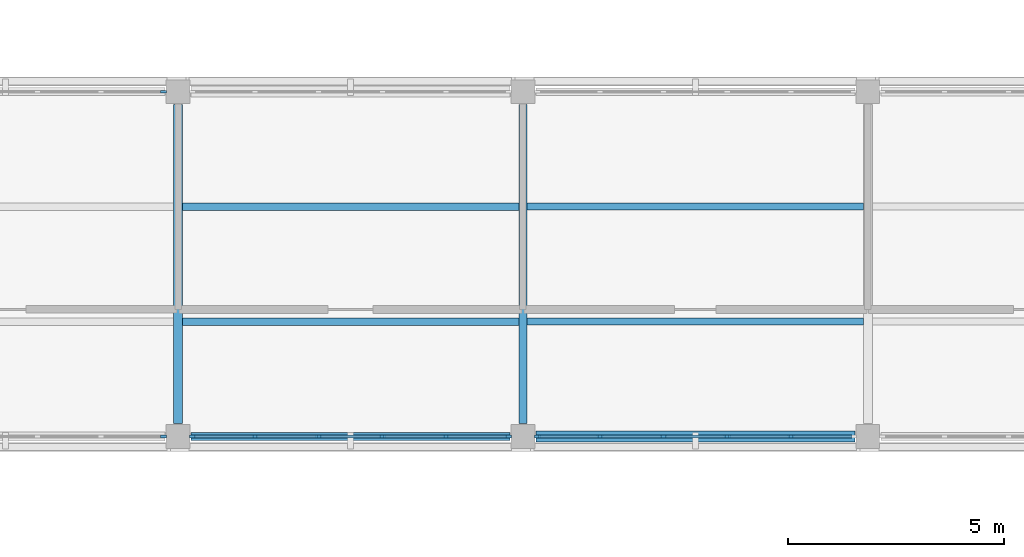
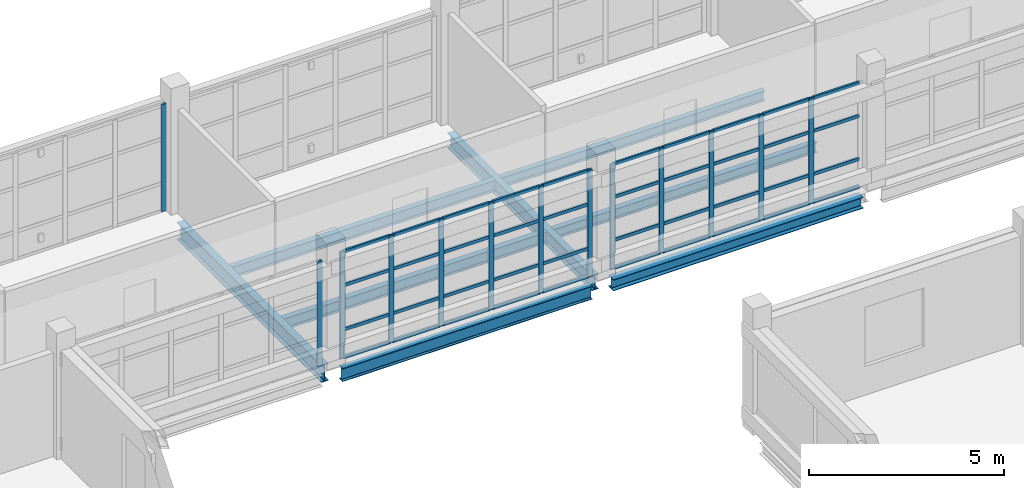
# One storey, part 43 of 107: 53 members, 8 beams, 4 elements without a shape of their own.
"""IFC4 building model written with IfcOpenShell, lengths in metres."""

from ifc_helpers import new_model, si_unit, derived_unit, direction, frame, origin, origin_2d, place, context, subcontext, project, spatial, rectangle, i_section, extrude, material, layer, layer_set, material_profile, profile_set, type_object, element, aggregate, save


model = new_model("IFC4")

# Units and contexts
model_context = context("Model", 3, precision=1e-05, world=origin(), true_north=direction((0.0, 1.0)))
body_context = subcontext(model_context, "Body", "Model", "MODEL_VIEW")
ifc_project = project(units=[si_unit("LENGTHUNIT", "METRE"), si_unit("AREAUNIT", "SQUARE_METRE"), si_unit("VOLUMEUNIT", "CUBIC_METRE"), si_unit("PLANEANGLEUNIT", "RADIAN"), si_unit("MASSUNIT", "GRAM", prefix="KILO"), derived_unit("THERMALTRANSMITTANCEUNIT", [(si_unit("MASSUNIT", "GRAM", prefix="KILO"), 1), (si_unit("TIMEUNIT", "SECOND"), -3), (si_unit("THERMODYNAMICTEMPERATUREUNIT", "KELVIN"), -1)])], contexts=[model_context])

# Site, building, storey
site_placement = place(None, origin())
site = spatial("IfcSite", under=ifc_project, at=site_placement, CompositionType="ELEMENT")
building_placement = place(site_placement, origin())
building = spatial("IfcBuilding", under=site, at=building_placement, Name="Veyamyaing Civic Hall", CompositionType="ELEMENT")
storey_placement = place(building_placement, frame((0.0, 0.0, 13.860107421875)))
storey = spatial("IfcBuildingStorey", under=building, at=storey_placement, Name="L03", CompositionType="ELEMENT", Elevation=13.860107421875)

# Beams
ifc_material_1 = material(Name="Steel ASTM A992", Category="steel")
ifc_material_profile_1 = material_profile(ifc_material_1, i_section(OverallWidth=0.2109375, OverallDepth=0.5390625, WebThickness=0.01171875, FlangeThickness=0.018798828125, FilletRadius=0.011962890625, at=origin_2d()), Name="W530X109")
ifc_profile_set_1 = profile_set([ifc_material_profile_1], Name="Steel ASTM A992")
beam_type_1 = type_object("IfcBeamType", Name="B-17", PredefinedType="BEAM", material=ifc_profile_set_1)
beam_1_placement = place(storey_placement, frame((128.0, 48.300048828125, -0.524658203125), z_axis=(0.0, 1.0, 0.0), x_axis=(-1.0, 0.0, 0.0)))
element("IfcBeam", 1, at=beam_1_placement, inside=storey, type_object=beam_type_1, Name="Girder B-17 L03 Grid 17 G-H", PredefinedType="BEAM", context=body_context, shape_type="SweptSolid", body=[
    extrude(i_section(OverallWidth=0.2109375, OverallDepth=0.5390625, WebThickness=0.01171875, FlangeThickness=0.018798828125, FilletRadius=0.011962890625, at=origin_2d()), origin(), (0.0, 0.0, 1.0), 7.39990234375),
])
ifc_material_profile_2 = material_profile(ifc_material_1, i_section(OverallWidth=0.194091796875, OverallDepth=0.468994140625, WebThickness=0.0126953125, FlangeThickness=0.0205078125, FilletRadius=0.010009765625, at=origin_2d()), Name="W460X106")
ifc_profile_set_2 = profile_set([ifc_material_profile_2], Name="Steel ASTM A992")
beam_type_2 = type_object("IfcBeamType", Name="B-18", PredefinedType="BEAM", material=ifc_profile_set_2)
beam_2_placement = place(storey_placement, frame((136.0, 48.300048828125, -0.489501953125), z_axis=(0.0, 1.0, 0.0), x_axis=(-1.0, 0.0, 0.0)))
element("IfcBeam", 2, at=beam_2_placement, inside=storey, type_object=beam_type_2, Name="Girder B-18 L03 Grid 18 G-H", PredefinedType="BEAM", context=body_context, shape_type="SweptSolid", body=[
    extrude(i_section(OverallWidth=0.194091796875, OverallDepth=0.468994140625, WebThickness=0.0126953125, FlangeThickness=0.0205078125, FilletRadius=0.010009765625, at=origin_2d()), origin(), (0.0, 0.0, 1.0), 7.39990234375),
])
ifc_material_profile_3 = material_profile(ifc_material_1, i_section(OverallWidth=0.180908203125, OverallDepth=0.4169921875, WebThickness=0.010986328125, FlangeThickness=0.018310546875, FilletRadius=0.010009765625, at=origin_2d()), Name="W410X85")
ifc_profile_set_3 = profile_set([ifc_material_profile_3], Name="Steel ASTM A992")
beam_type_3 = type_object("IfcBeamType", Name="B-19", PredefinedType="SPANDREL", material=ifc_profile_set_3)
beam_3_placement = place(storey_placement, frame((128.300048828125, 48.0, -0.463623046875), z_axis=(1.0, 0.0, 0.0), x_axis=(0.0, 1.0, 0.0)))
element("IfcBeam", 3, at=beam_3_placement, inside=storey, type_object=beam_type_3, Name="Girder B-19 L03 Grid G 17-18", PredefinedType="SPANDREL", context=body_context, shape_type="SweptSolid", body=[
    extrude(i_section(OverallWidth=0.180908203125, OverallDepth=0.4169921875, WebThickness=0.010986328125, FlangeThickness=0.018310546875, FilletRadius=0.010009765625, at=origin_2d()), origin(), (0.0, 0.0, 1.0), 7.39990234375),
])
ifc_material_profile_4 = material_profile(ifc_material_1, i_section(OverallWidth=0.25390625, OverallDepth=0.35302734375, WebThickness=0.009521484375, FlangeThickness=0.016357421875, FilletRadius=0.011962890625, at=origin_2d()), Name="W360X91")
ifc_profile_set_4 = profile_set([ifc_material_profile_4], Name="Steel ASTM A992")
beam_type_4 = type_object("IfcBeamType", Name="B-20", PredefinedType="SPANDREL", material=ifc_profile_set_4)
beam_4_placement = place(storey_placement, frame((136.300048828125, 48.0, -0.431640625), z_axis=(1.0, 0.0, 0.0), x_axis=(0.0, 1.0, 0.0)))
element("IfcBeam", 4, at=beam_4_placement, inside=storey, type_object=beam_type_4, Name="Girder B-20 L03 Grid G 18-19", PredefinedType="SPANDREL", context=body_context, shape_type="SweptSolid", body=[
    extrude(i_section(OverallWidth=0.25390625, OverallDepth=0.35302734375, WebThickness=0.009521484375, FlangeThickness=0.016357421875, FilletRadius=0.011962890625, at=origin_2d()), origin(), (0.0, 0.0, 1.0), 7.39990234375),
])

# Curtain wall, member
ifc_material_2 = material(Name="Anodised aluminium 6063-T6", Category="aluminium")
ifc_layer = layer(ifc_material_2, 0.139892578125, Name="Anodised aluminium 6063-T6")
ifc_layer_set = layer_set([ifc_layer], Name="Anodised aluminium 6063-T6")
curtain_wall_type = type_object("IfcCurtainWallType", Name="CW-04", PredefinedType="NOTDEFINED", material=ifc_layer_set)
curtain_wall_1_placement = place(storey_placement, origin())
curtain_wall_1 = element("IfcCurtainWall", 5, at=curtain_wall_1_placement, inside=storey, type_object=curtain_wall_type, Name="Unitized curtain wall CW-04 L03 S 16.7", PredefinedType="NOTDEFINED")
ifc_material_profile_5 = material_profile(ifc_material_2, rectangle(XDim=0.06005859375, YDim=0.139892578125, at=origin_2d()), Name="ALU-MUL-60X140")
ifc_profile_set_5 = profile_set([ifc_material_profile_5], Name="Anodised aluminium 6063-T6")
member_type_1 = type_object("IfcMemberType", Name="CWM-03", PredefinedType="MULLION", material=ifc_profile_set_5)
member_1_placement = place(storey_placement, frame((127.6650390625, 48.0, 0.0), z_axis=(0.0, 0.0, 1.0), x_axis=(0.0, 1.0, 0.0)))
member_1 = element("IfcMember", 6, at=member_1_placement, type_object=member_type_1, Name="CW-04 mullion 6", PredefinedType="MULLION", context=body_context, shape_type="SweptSolid", body=[
    extrude(rectangle(XDim=0.06005859375, YDim=0.139892578125, at=origin_2d()), origin(), (0.0, 0.0, 1.0), 3.2998046875),
])
aggregate(curtain_wall_1, [member_1])

curtain_wall_2_placement = place(storey_placement, origin())
curtain_wall_2 = element("IfcCurtainWall", 7, at=curtain_wall_2_placement, inside=storey, type_object=curtain_wall_type, Name="Unitized curtain wall CW-04 L03 N 16.7", PredefinedType="NOTDEFINED")
member_2_placement = place(storey_placement, frame((127.6650390625, 56.0, 0.0), z_axis=(0.0, 0.0, 1.0), x_axis=(0.0, 1.0, 0.0)))
member_2 = element("IfcMember", 8, at=member_2_placement, type_object=member_type_1, Name="CW-04 mullion 6", PredefinedType="MULLION", context=body_context, shape_type="SweptSolid", body=[
    extrude(rectangle(XDim=0.06005859375, YDim=0.139892578125, at=origin_2d()), origin(), (0.0, 0.0, 1.0), 3.364013671875),
])
aggregate(curtain_wall_2, [member_2])

# Curtain wall, members
curtain_wall_3_placement = place(storey_placement, origin())
curtain_wall_3 = element("IfcCurtainWall", 9, at=curtain_wall_3_placement, inside=storey, type_object=curtain_wall_type, Name="Unitized curtain wall CW-04 L03 S 17.7", PredefinedType="NOTDEFINED")
member_3_placement = place(storey_placement, frame((128.3349609375, 48.0, 0.0), z_axis=(0.0, 0.0, 1.0), x_axis=(0.0, 1.0, 0.0)))
member_3 = element("IfcMember", 10, at=member_3_placement, type_object=member_type_1, Name="CW-04 mullion 1", PredefinedType="MULLION", context=body_context, shape_type="SweptSolid", body=[
    extrude(rectangle(XDim=0.06005859375, YDim=0.139892578125, at=origin_2d()), origin(), (0.0, 0.0, 1.0), 3.364013671875),
])
member_4_placement = place(storey_placement, frame((129.782958984375, 48.0, 0.0), z_axis=(0.0, 0.0, 1.0), x_axis=(0.0, 1.0, 0.0)))
member_4 = element("IfcMember", 11, at=member_4_placement, type_object=member_type_1, Name="CW-04 mullion 2", PredefinedType="MULLION", context=body_context, shape_type="SweptSolid", body=[
    extrude(rectangle(XDim=0.06005859375, YDim=0.139892578125, at=origin_2d()), origin(), (0.0, 0.0, 1.0), 3.364013671875),
])
member_5_placement = place(storey_placement, frame((131.260986328125, 48.0, 0.0), z_axis=(0.0, 0.0, 1.0), x_axis=(0.0, 1.0, 0.0)))
member_5 = element("IfcMember", 12, at=member_5_placement, type_object=member_type_1, Name="CW-04 mullion 3", PredefinedType="MULLION", context=body_context, shape_type="SweptSolid", body=[
    extrude(rectangle(XDim=0.06005859375, YDim=0.139892578125, at=origin_2d()), origin(), (0.0, 0.0, 1.0), 3.364013671875),
])
member_6_placement = place(storey_placement, frame((132.739013671875, 48.0, 0.0), z_axis=(0.0, 0.0, 1.0), x_axis=(0.0, 1.0, 0.0)))
member_6 = element("IfcMember", 13, at=member_6_placement, type_object=member_type_1, Name="CW-04 mullion 4", PredefinedType="MULLION", context=body_context, shape_type="SweptSolid", body=[
    extrude(rectangle(XDim=0.06005859375, YDim=0.139892578125, at=origin_2d()), origin(), (0.0, 0.0, 1.0), 3.364013671875),
])
member_7_placement = place(storey_placement, frame((134.217041015625, 48.0, 0.0), z_axis=(0.0, 0.0, 1.0), x_axis=(0.0, 1.0, 0.0)))
member_7 = element("IfcMember", 14, at=member_7_placement, type_object=member_type_1, Name="CW-04 mullion 5", PredefinedType="MULLION", context=body_context, shape_type="SweptSolid", body=[
    extrude(rectangle(XDim=0.06005859375, YDim=0.139892578125, at=origin_2d()), origin(), (0.0, 0.0, 1.0), 3.364013671875),
])
member_8_placement = place(storey_placement, frame((135.6650390625, 48.0, 0.0), z_axis=(0.0, 0.0, 1.0), x_axis=(0.0, 1.0, 0.0)))
member_8 = element("IfcMember", 15, at=member_8_placement, type_object=member_type_1, Name="CW-04 mullion 6", PredefinedType="MULLION", context=body_context, shape_type="SweptSolid", body=[
    extrude(rectangle(XDim=0.06005859375, YDim=0.139892578125, at=origin_2d()), origin(), (0.0, 0.0, 1.0), 3.364013671875),
])

curtain_wall_4_placement = place(storey_placement, origin())
curtain_wall_4 = element("IfcCurtainWall", 16, at=curtain_wall_4_placement, inside=storey, type_object=curtain_wall_type, Name="Unitized curtain wall CW-04 L03 S 18.7", PredefinedType="NOTDEFINED")
member_9_placement = place(storey_placement, frame((136.3349609375, 48.0, 0.0), z_axis=(0.0, 0.0, 1.0), x_axis=(0.0, 1.0, 0.0)))
member_9 = element("IfcMember", 17, at=member_9_placement, type_object=member_type_1, Name="CW-04 mullion 1", PredefinedType="MULLION", context=body_context, shape_type="SweptSolid", body=[
    extrude(rectangle(XDim=0.06005859375, YDim=0.139892578125, at=origin_2d()), origin(), (0.0, 0.0, 1.0), 3.303955078125),
])
member_10_placement = place(storey_placement, frame((137.782958984375, 48.0, 0.0), z_axis=(0.0, 0.0, 1.0), x_axis=(0.0, 1.0, 0.0)))
member_10 = element("IfcMember", 18, at=member_10_placement, type_object=member_type_1, Name="CW-04 mullion 2", PredefinedType="MULLION", context=body_context, shape_type="SweptSolid", body=[
    extrude(rectangle(XDim=0.06005859375, YDim=0.139892578125, at=origin_2d()), origin(), (0.0, 0.0, 1.0), 3.303955078125),
])
member_11_placement = place(storey_placement, frame((139.260986328125, 48.0, 0.0), z_axis=(0.0, 0.0, 1.0), x_axis=(0.0, 1.0, 0.0)))
member_11 = element("IfcMember", 19, at=member_11_placement, type_object=member_type_1, Name="CW-04 mullion 3", PredefinedType="MULLION", context=body_context, shape_type="SweptSolid", body=[
    extrude(rectangle(XDim=0.06005859375, YDim=0.139892578125, at=origin_2d()), origin(), (0.0, 0.0, 1.0), 3.303955078125),
])
member_12_placement = place(storey_placement, frame((140.739013671875, 48.0, 0.0), z_axis=(0.0, 0.0, 1.0), x_axis=(0.0, 1.0, 0.0)))
member_12 = element("IfcMember", 20, at=member_12_placement, type_object=member_type_1, Name="CW-04 mullion 4", PredefinedType="MULLION", context=body_context, shape_type="SweptSolid", body=[
    extrude(rectangle(XDim=0.06005859375, YDim=0.139892578125, at=origin_2d()), origin(), (0.0, 0.0, 1.0), 3.303955078125),
])
member_13_placement = place(storey_placement, frame((142.217041015625, 48.0, 0.0), z_axis=(0.0, 0.0, 1.0), x_axis=(0.0, 1.0, 0.0)))
member_13 = element("IfcMember", 21, at=member_13_placement, type_object=member_type_1, Name="CW-04 mullion 5", PredefinedType="MULLION", context=body_context, shape_type="SweptSolid", body=[
    extrude(rectangle(XDim=0.06005859375, YDim=0.139892578125, at=origin_2d()), origin(), (0.0, 0.0, 1.0), 3.303955078125),
])

# Member
ifc_material_profile_6 = material_profile(ifc_material_2, rectangle(XDim=0.06005859375, YDim=0.10009765625, at=origin_2d()), Name="ALU-TRN-60X100")
ifc_profile_set_6 = profile_set([ifc_material_profile_6], Name="Anodised aluminium 6063-T6")
member_type_2 = type_object("IfcMemberType", Name="CWT-03", PredefinedType="USERDEFINED", material=ifc_profile_set_6)
member_14_placement = place(storey_placement, frame((128.364990234375, 48.0, 0.02978515625), z_axis=(1.0, 0.0, 0.0), x_axis=(0.0, 1.0, 0.0)))
member_14 = element("IfcMember", 22, at=member_14_placement, type_object=member_type_2, Name="CW-04 transom 1.1", ObjectType="TRANSOM", PredefinedType="USERDEFINED", context=body_context, shape_type="SweptSolid", body=[
    extrude(rectangle(XDim=0.06005859375, YDim=0.10009765625, at=origin_2d()), origin(), (0.0, 0.0, 1.0), 1.387939453125),
])

member_15_placement = place(storey_placement, frame((128.364990234375, 48.0, 0.89990234375), z_axis=(1.0, 0.0, 0.0), x_axis=(0.0, 1.0, 0.0)))
member_15 = element("IfcMember", 23, at=member_15_placement, type_object=member_type_2, Name="CW-04 transom 1.2", ObjectType="TRANSOM", PredefinedType="USERDEFINED", context=body_context, shape_type="SweptSolid", body=[
    extrude(rectangle(XDim=0.06005859375, YDim=0.10009765625, at=origin_2d()), origin(), (0.0, 0.0, 1.0), 1.387939453125),
])

member_16_placement = place(storey_placement, frame((128.364990234375, 48.0, 2.287353515625), z_axis=(1.0, 0.0, 0.0), x_axis=(0.0, 1.0, 0.0)))
member_16 = element("IfcMember", 24, at=member_16_placement, type_object=member_type_2, Name="CW-04 transom 1.3", ObjectType="TRANSOM", PredefinedType="USERDEFINED", context=body_context, shape_type="SweptSolid", body=[
    extrude(rectangle(XDim=0.06005859375, YDim=0.10009765625, at=origin_2d()), origin(), (0.0, 0.0, 1.0), 1.387939453125),
])

member_17_placement = place(storey_placement, frame((128.364990234375, 48.0, 3.333984375), z_axis=(1.0, 0.0, 0.0), x_axis=(0.0, 1.0, 0.0)))
member_17 = element("IfcMember", 25, at=member_17_placement, type_object=member_type_2, Name="CW-04 transom 1.4", ObjectType="TRANSOM", PredefinedType="USERDEFINED", context=body_context, shape_type="SweptSolid", body=[
    extrude(rectangle(XDim=0.06005859375, YDim=0.10009765625, at=origin_2d()), origin(), (0.0, 0.0, 1.0), 1.387939453125),
])

member_18_placement = place(storey_placement, frame((129.81298828125, 48.0, 0.02978515625), z_axis=(1.0, 0.0, 0.0), x_axis=(0.0, 1.0, 0.0)))
member_18 = element("IfcMember", 26, at=member_18_placement, type_object=member_type_2, Name="CW-04 transom 2.1", ObjectType="TRANSOM", PredefinedType="USERDEFINED", context=body_context, shape_type="SweptSolid", body=[
    extrude(rectangle(XDim=0.06005859375, YDim=0.10009765625, at=origin_2d()), origin(), (0.0, 0.0, 1.0), 1.41796875),
])

member_19_placement = place(storey_placement, frame((129.81298828125, 48.0, 0.89990234375), z_axis=(1.0, 0.0, 0.0), x_axis=(0.0, 1.0, 0.0)))
member_19 = element("IfcMember", 27, at=member_19_placement, type_object=member_type_2, Name="CW-04 transom 2.2", ObjectType="TRANSOM", PredefinedType="USERDEFINED", context=body_context, shape_type="SweptSolid", body=[
    extrude(rectangle(XDim=0.06005859375, YDim=0.10009765625, at=origin_2d()), origin(), (0.0, 0.0, 1.0), 1.41796875),
])

member_20_placement = place(storey_placement, frame((129.81298828125, 48.0, 2.287353515625), z_axis=(1.0, 0.0, 0.0), x_axis=(0.0, 1.0, 0.0)))
member_20 = element("IfcMember", 28, at=member_20_placement, type_object=member_type_2, Name="CW-04 transom 2.3", ObjectType="TRANSOM", PredefinedType="USERDEFINED", context=body_context, shape_type="SweptSolid", body=[
    extrude(rectangle(XDim=0.06005859375, YDim=0.10009765625, at=origin_2d()), origin(), (0.0, 0.0, 1.0), 1.41796875),
])

member_21_placement = place(storey_placement, frame((129.81298828125, 48.0, 3.333984375), z_axis=(1.0, 0.0, 0.0), x_axis=(0.0, 1.0, 0.0)))
member_21 = element("IfcMember", 29, at=member_21_placement, type_object=member_type_2, Name="CW-04 transom 2.4", ObjectType="TRANSOM", PredefinedType="USERDEFINED", context=body_context, shape_type="SweptSolid", body=[
    extrude(rectangle(XDim=0.06005859375, YDim=0.10009765625, at=origin_2d()), origin(), (0.0, 0.0, 1.0), 1.41796875),
])

member_22_placement = place(storey_placement, frame((131.291015625, 48.0, 0.02978515625), z_axis=(1.0, 0.0, 0.0), x_axis=(0.0, 1.0, 0.0)))
member_22 = element("IfcMember", 30, at=member_22_placement, type_object=member_type_2, Name="CW-04 transom 3.1", ObjectType="TRANSOM", PredefinedType="USERDEFINED", context=body_context, shape_type="SweptSolid", body=[
    extrude(rectangle(XDim=0.06005859375, YDim=0.10009765625, at=origin_2d()), origin(), (0.0, 0.0, 1.0), 1.41796875),
])

member_23_placement = place(storey_placement, frame((131.291015625, 48.0, 0.89990234375), z_axis=(1.0, 0.0, 0.0), x_axis=(0.0, 1.0, 0.0)))
member_23 = element("IfcMember", 31, at=member_23_placement, type_object=member_type_2, Name="CW-04 transom 3.2", ObjectType="TRANSOM", PredefinedType="USERDEFINED", context=body_context, shape_type="SweptSolid", body=[
    extrude(rectangle(XDim=0.06005859375, YDim=0.10009765625, at=origin_2d()), origin(), (0.0, 0.0, 1.0), 1.41796875),
])

member_24_placement = place(storey_placement, frame((131.291015625, 48.0, 2.287353515625), z_axis=(1.0, 0.0, 0.0), x_axis=(0.0, 1.0, 0.0)))
member_24 = element("IfcMember", 32, at=member_24_placement, type_object=member_type_2, Name="CW-04 transom 3.3", ObjectType="TRANSOM", PredefinedType="USERDEFINED", context=body_context, shape_type="SweptSolid", body=[
    extrude(rectangle(XDim=0.06005859375, YDim=0.10009765625, at=origin_2d()), origin(), (0.0, 0.0, 1.0), 1.41796875),
])

member_25_placement = place(storey_placement, frame((131.291015625, 48.0, 3.333984375), z_axis=(1.0, 0.0, 0.0), x_axis=(0.0, 1.0, 0.0)))
member_25 = element("IfcMember", 33, at=member_25_placement, type_object=member_type_2, Name="CW-04 transom 3.4", ObjectType="TRANSOM", PredefinedType="USERDEFINED", context=body_context, shape_type="SweptSolid", body=[
    extrude(rectangle(XDim=0.06005859375, YDim=0.10009765625, at=origin_2d()), origin(), (0.0, 0.0, 1.0), 1.41796875),
])

member_26_placement = place(storey_placement, frame((132.76904296875, 48.0, 0.02978515625), z_axis=(1.0, 0.0, 0.0), x_axis=(0.0, 1.0, 0.0)))
member_26 = element("IfcMember", 34, at=member_26_placement, type_object=member_type_2, Name="CW-04 transom 4.1", ObjectType="TRANSOM", PredefinedType="USERDEFINED", context=body_context, shape_type="SweptSolid", body=[
    extrude(rectangle(XDim=0.06005859375, YDim=0.10009765625, at=origin_2d()), origin(), (0.0, 0.0, 1.0), 1.41796875),
])

member_27_placement = place(storey_placement, frame((132.76904296875, 48.0, 0.89990234375), z_axis=(1.0, 0.0, 0.0), x_axis=(0.0, 1.0, 0.0)))
member_27 = element("IfcMember", 35, at=member_27_placement, type_object=member_type_2, Name="CW-04 transom 4.2", ObjectType="TRANSOM", PredefinedType="USERDEFINED", context=body_context, shape_type="SweptSolid", body=[
    extrude(rectangle(XDim=0.06005859375, YDim=0.10009765625, at=origin_2d()), origin(), (0.0, 0.0, 1.0), 1.41796875),
])

member_28_placement = place(storey_placement, frame((132.76904296875, 48.0, 2.287353515625), z_axis=(1.0, 0.0, 0.0), x_axis=(0.0, 1.0, 0.0)))
member_28 = element("IfcMember", 36, at=member_28_placement, type_object=member_type_2, Name="CW-04 transom 4.3", ObjectType="TRANSOM", PredefinedType="USERDEFINED", context=body_context, shape_type="SweptSolid", body=[
    extrude(rectangle(XDim=0.06005859375, YDim=0.10009765625, at=origin_2d()), origin(), (0.0, 0.0, 1.0), 1.41796875),
])

member_29_placement = place(storey_placement, frame((132.76904296875, 48.0, 3.333984375), z_axis=(1.0, 0.0, 0.0), x_axis=(0.0, 1.0, 0.0)))
member_29 = element("IfcMember", 37, at=member_29_placement, type_object=member_type_2, Name="CW-04 transom 4.4", ObjectType="TRANSOM", PredefinedType="USERDEFINED", context=body_context, shape_type="SweptSolid", body=[
    extrude(rectangle(XDim=0.06005859375, YDim=0.10009765625, at=origin_2d()), origin(), (0.0, 0.0, 1.0), 1.41796875),
])

member_30_placement = place(storey_placement, frame((134.2470703125, 48.0, 0.02978515625), z_axis=(1.0, 0.0, 0.0), x_axis=(0.0, 1.0, 0.0)))
member_30 = element("IfcMember", 38, at=member_30_placement, type_object=member_type_2, Name="CW-04 transom 5.1", ObjectType="TRANSOM", PredefinedType="USERDEFINED", context=body_context, shape_type="SweptSolid", body=[
    extrude(rectangle(XDim=0.06005859375, YDim=0.10009765625, at=origin_2d()), origin(), (0.0, 0.0, 1.0), 1.387939453125),
])

member_31_placement = place(storey_placement, frame((134.2470703125, 48.0, 0.89990234375), z_axis=(1.0, 0.0, 0.0), x_axis=(0.0, 1.0, 0.0)))
member_31 = element("IfcMember", 39, at=member_31_placement, type_object=member_type_2, Name="CW-04 transom 5.2", ObjectType="TRANSOM", PredefinedType="USERDEFINED", context=body_context, shape_type="SweptSolid", body=[
    extrude(rectangle(XDim=0.06005859375, YDim=0.10009765625, at=origin_2d()), origin(), (0.0, 0.0, 1.0), 1.387939453125),
])

member_32_placement = place(storey_placement, frame((134.2470703125, 48.0, 2.287353515625), z_axis=(1.0, 0.0, 0.0), x_axis=(0.0, 1.0, 0.0)))
member_32 = element("IfcMember", 40, at=member_32_placement, type_object=member_type_2, Name="CW-04 transom 5.3", ObjectType="TRANSOM", PredefinedType="USERDEFINED", context=body_context, shape_type="SweptSolid", body=[
    extrude(rectangle(XDim=0.06005859375, YDim=0.10009765625, at=origin_2d()), origin(), (0.0, 0.0, 1.0), 1.387939453125),
])

member_33_placement = place(storey_placement, frame((134.2470703125, 48.0, 3.333984375), z_axis=(1.0, 0.0, 0.0), x_axis=(0.0, 1.0, 0.0)))
member_33 = element("IfcMember", 41, at=member_33_placement, type_object=member_type_2, Name="CW-04 transom 5.4", ObjectType="TRANSOM", PredefinedType="USERDEFINED", context=body_context, shape_type="SweptSolid", body=[
    extrude(rectangle(XDim=0.06005859375, YDim=0.10009765625, at=origin_2d()), origin(), (0.0, 0.0, 1.0), 1.387939453125),
])

aggregate(curtain_wall_3, [member_3, member_4, member_5, member_6, member_7, member_8, member_14, member_15, member_16, member_17, member_18, member_19, member_20, member_21, member_22, member_23, member_24, member_25, member_26, member_27, member_28, member_29, member_30, member_31, member_32, member_33])

member_34_placement = place(storey_placement, frame((136.364990234375, 48.0, 0.02978515625), z_axis=(1.0, 0.0, 0.0), x_axis=(0.0, 1.0, 0.0)))
member_34 = element("IfcMember", 42, at=member_34_placement, type_object=member_type_2, Name="CW-04 transom 1.1", ObjectType="TRANSOM", PredefinedType="USERDEFINED", context=body_context, shape_type="SweptSolid", body=[
    extrude(rectangle(XDim=0.06005859375, YDim=0.10009765625, at=origin_2d()), origin(), (0.0, 0.0, 1.0), 1.387939453125),
])

member_35_placement = place(storey_placement, frame((136.364990234375, 48.0, 0.89990234375), z_axis=(1.0, 0.0, 0.0), x_axis=(0.0, 1.0, 0.0)))
member_35 = element("IfcMember", 43, at=member_35_placement, type_object=member_type_2, Name="CW-04 transom 1.2", ObjectType="TRANSOM", PredefinedType="USERDEFINED", context=body_context, shape_type="SweptSolid", body=[
    extrude(rectangle(XDim=0.06005859375, YDim=0.10009765625, at=origin_2d()), origin(), (0.0, 0.0, 1.0), 1.387939453125),
])

member_36_placement = place(storey_placement, frame((136.364990234375, 48.0, 2.24658203125), z_axis=(1.0, 0.0, 0.0), x_axis=(0.0, 1.0, 0.0)))
member_36 = element("IfcMember", 44, at=member_36_placement, type_object=member_type_2, Name="CW-04 transom 1.3", ObjectType="TRANSOM", PredefinedType="USERDEFINED", context=body_context, shape_type="SweptSolid", body=[
    extrude(rectangle(XDim=0.06005859375, YDim=0.10009765625, at=origin_2d()), origin(), (0.0, 0.0, 1.0), 1.387939453125),
])

member_37_placement = place(storey_placement, frame((136.364990234375, 48.0, 3.27392578125), z_axis=(1.0, 0.0, 0.0), x_axis=(0.0, 1.0, 0.0)))
member_37 = element("IfcMember", 45, at=member_37_placement, type_object=member_type_2, Name="CW-04 transom 1.4", ObjectType="TRANSOM", PredefinedType="USERDEFINED", context=body_context, shape_type="SweptSolid", body=[
    extrude(rectangle(XDim=0.06005859375, YDim=0.10009765625, at=origin_2d()), origin(), (0.0, 0.0, 1.0), 1.387939453125),
])

member_38_placement = place(storey_placement, frame((137.81298828125, 48.0, 0.02978515625), z_axis=(1.0, 0.0, 0.0), x_axis=(0.0, 1.0, 0.0)))
member_38 = element("IfcMember", 46, at=member_38_placement, type_object=member_type_2, Name="CW-04 transom 2.1", ObjectType="TRANSOM", PredefinedType="USERDEFINED", context=body_context, shape_type="SweptSolid", body=[
    extrude(rectangle(XDim=0.06005859375, YDim=0.10009765625, at=origin_2d()), origin(), (0.0, 0.0, 1.0), 1.41796875),
])

member_39_placement = place(storey_placement, frame((137.81298828125, 48.0, 0.89990234375), z_axis=(1.0, 0.0, 0.0), x_axis=(0.0, 1.0, 0.0)))
member_39 = element("IfcMember", 47, at=member_39_placement, type_object=member_type_2, Name="CW-04 transom 2.2", ObjectType="TRANSOM", PredefinedType="USERDEFINED", context=body_context, shape_type="SweptSolid", body=[
    extrude(rectangle(XDim=0.06005859375, YDim=0.10009765625, at=origin_2d()), origin(), (0.0, 0.0, 1.0), 1.41796875),
])

member_40_placement = place(storey_placement, frame((137.81298828125, 48.0, 2.24658203125), z_axis=(1.0, 0.0, 0.0), x_axis=(0.0, 1.0, 0.0)))
member_40 = element("IfcMember", 48, at=member_40_placement, type_object=member_type_2, Name="CW-04 transom 2.3", ObjectType="TRANSOM", PredefinedType="USERDEFINED", context=body_context, shape_type="SweptSolid", body=[
    extrude(rectangle(XDim=0.06005859375, YDim=0.10009765625, at=origin_2d()), origin(), (0.0, 0.0, 1.0), 1.41796875),
])

member_41_placement = place(storey_placement, frame((137.81298828125, 48.0, 3.27392578125), z_axis=(1.0, 0.0, 0.0), x_axis=(0.0, 1.0, 0.0)))
member_41 = element("IfcMember", 49, at=member_41_placement, type_object=member_type_2, Name="CW-04 transom 2.4", ObjectType="TRANSOM", PredefinedType="USERDEFINED", context=body_context, shape_type="SweptSolid", body=[
    extrude(rectangle(XDim=0.06005859375, YDim=0.10009765625, at=origin_2d()), origin(), (0.0, 0.0, 1.0), 1.41796875),
])

member_42_placement = place(storey_placement, frame((139.291015625, 48.0, 0.02978515625), z_axis=(1.0, 0.0, 0.0), x_axis=(0.0, 1.0, 0.0)))
member_42 = element("IfcMember", 50, at=member_42_placement, type_object=member_type_2, Name="CW-04 transom 3.1", ObjectType="TRANSOM", PredefinedType="USERDEFINED", context=body_context, shape_type="SweptSolid", body=[
    extrude(rectangle(XDim=0.06005859375, YDim=0.10009765625, at=origin_2d()), origin(), (0.0, 0.0, 1.0), 1.41796875),
])

member_43_placement = place(storey_placement, frame((139.291015625, 48.0, 0.89990234375), z_axis=(1.0, 0.0, 0.0), x_axis=(0.0, 1.0, 0.0)))
member_43 = element("IfcMember", 51, at=member_43_placement, type_object=member_type_2, Name="CW-04 transom 3.2", ObjectType="TRANSOM", PredefinedType="USERDEFINED", context=body_context, shape_type="SweptSolid", body=[
    extrude(rectangle(XDim=0.06005859375, YDim=0.10009765625, at=origin_2d()), origin(), (0.0, 0.0, 1.0), 1.41796875),
])

member_44_placement = place(storey_placement, frame((139.291015625, 48.0, 2.24658203125), z_axis=(1.0, 0.0, 0.0), x_axis=(0.0, 1.0, 0.0)))
member_44 = element("IfcMember", 52, at=member_44_placement, type_object=member_type_2, Name="CW-04 transom 3.3", ObjectType="TRANSOM", PredefinedType="USERDEFINED", context=body_context, shape_type="SweptSolid", body=[
    extrude(rectangle(XDim=0.06005859375, YDim=0.10009765625, at=origin_2d()), origin(), (0.0, 0.0, 1.0), 1.41796875),
])

member_45_placement = place(storey_placement, frame((139.291015625, 48.0, 3.27392578125), z_axis=(1.0, 0.0, 0.0), x_axis=(0.0, 1.0, 0.0)))
member_45 = element("IfcMember", 53, at=member_45_placement, type_object=member_type_2, Name="CW-04 transom 3.4", ObjectType="TRANSOM", PredefinedType="USERDEFINED", context=body_context, shape_type="SweptSolid", body=[
    extrude(rectangle(XDim=0.06005859375, YDim=0.10009765625, at=origin_2d()), origin(), (0.0, 0.0, 1.0), 1.41796875),
])

member_46_placement = place(storey_placement, frame((140.76904296875, 48.0, 0.02978515625), z_axis=(1.0, 0.0, 0.0), x_axis=(0.0, 1.0, 0.0)))
member_46 = element("IfcMember", 54, at=member_46_placement, type_object=member_type_2, Name="CW-04 transom 4.1", ObjectType="TRANSOM", PredefinedType="USERDEFINED", context=body_context, shape_type="SweptSolid", body=[
    extrude(rectangle(XDim=0.06005859375, YDim=0.10009765625, at=origin_2d()), origin(), (0.0, 0.0, 1.0), 1.41796875),
])

member_47_placement = place(storey_placement, frame((140.76904296875, 48.0, 0.89990234375), z_axis=(1.0, 0.0, 0.0), x_axis=(0.0, 1.0, 0.0)))
member_47 = element("IfcMember", 55, at=member_47_placement, type_object=member_type_2, Name="CW-04 transom 4.2", ObjectType="TRANSOM", PredefinedType="USERDEFINED", context=body_context, shape_type="SweptSolid", body=[
    extrude(rectangle(XDim=0.06005859375, YDim=0.10009765625, at=origin_2d()), origin(), (0.0, 0.0, 1.0), 1.41796875),
])

member_48_placement = place(storey_placement, frame((140.76904296875, 48.0, 2.24658203125), z_axis=(1.0, 0.0, 0.0), x_axis=(0.0, 1.0, 0.0)))
member_48 = element("IfcMember", 56, at=member_48_placement, type_object=member_type_2, Name="CW-04 transom 4.3", ObjectType="TRANSOM", PredefinedType="USERDEFINED", context=body_context, shape_type="SweptSolid", body=[
    extrude(rectangle(XDim=0.06005859375, YDim=0.10009765625, at=origin_2d()), origin(), (0.0, 0.0, 1.0), 1.41796875),
])

member_49_placement = place(storey_placement, frame((140.76904296875, 48.0, 3.27392578125), z_axis=(1.0, 0.0, 0.0), x_axis=(0.0, 1.0, 0.0)))
member_49 = element("IfcMember", 57, at=member_49_placement, type_object=member_type_2, Name="CW-04 transom 4.4", ObjectType="TRANSOM", PredefinedType="USERDEFINED", context=body_context, shape_type="SweptSolid", body=[
    extrude(rectangle(XDim=0.06005859375, YDim=0.10009765625, at=origin_2d()), origin(), (0.0, 0.0, 1.0), 1.41796875),
])

member_50_placement = place(storey_placement, frame((142.2470703125, 48.0, 0.02978515625), z_axis=(1.0, 0.0, 0.0), x_axis=(0.0, 1.0, 0.0)))
member_50 = element("IfcMember", 58, at=member_50_placement, type_object=member_type_2, Name="CW-04 transom 5.1", ObjectType="TRANSOM", PredefinedType="USERDEFINED", context=body_context, shape_type="SweptSolid", body=[
    extrude(rectangle(XDim=0.06005859375, YDim=0.10009765625, at=origin_2d()), origin(), (0.0, 0.0, 1.0), 1.387939453125),
])

member_51_placement = place(storey_placement, frame((142.2470703125, 48.0, 0.89990234375), z_axis=(1.0, 0.0, 0.0), x_axis=(0.0, 1.0, 0.0)))
member_51 = element("IfcMember", 59, at=member_51_placement, type_object=member_type_2, Name="CW-04 transom 5.2", ObjectType="TRANSOM", PredefinedType="USERDEFINED", context=body_context, shape_type="SweptSolid", body=[
    extrude(rectangle(XDim=0.06005859375, YDim=0.10009765625, at=origin_2d()), origin(), (0.0, 0.0, 1.0), 1.387939453125),
])

member_52_placement = place(storey_placement, frame((142.2470703125, 48.0, 2.24658203125), z_axis=(1.0, 0.0, 0.0), x_axis=(0.0, 1.0, 0.0)))
member_52 = element("IfcMember", 60, at=member_52_placement, type_object=member_type_2, Name="CW-04 transom 5.3", ObjectType="TRANSOM", PredefinedType="USERDEFINED", context=body_context, shape_type="SweptSolid", body=[
    extrude(rectangle(XDim=0.06005859375, YDim=0.10009765625, at=origin_2d()), origin(), (0.0, 0.0, 1.0), 1.387939453125),
])

member_53_placement = place(storey_placement, frame((142.2470703125, 48.0, 3.27392578125), z_axis=(1.0, 0.0, 0.0), x_axis=(0.0, 1.0, 0.0)))
member_53 = element("IfcMember", 61, at=member_53_placement, type_object=member_type_2, Name="CW-04 transom 5.4", ObjectType="TRANSOM", PredefinedType="USERDEFINED", context=body_context, shape_type="SweptSolid", body=[
    extrude(rectangle(XDim=0.06005859375, YDim=0.10009765625, at=origin_2d()), origin(), (0.0, 0.0, 1.0), 1.387939453125),
])

aggregate(curtain_wall_4, [member_9, member_10, member_11, member_12, member_13, member_34, member_35, member_36, member_37, member_38, member_39, member_40, member_41, member_42, member_43, member_44, member_45, member_46, member_47, member_48, member_49, member_50, member_51, member_52, member_53])

# Beams
ifc_material_profile_7 = material_profile(ifc_material_1, i_section(OverallWidth=0.1708984375, OverallDepth=0.35205078125, WebThickness=0.0068359375, FlangeThickness=0.009765625, FilletRadius=0.010009765625, at=origin_2d()), Name="W360X44")
ifc_profile_set_7 = profile_set([ifc_material_profile_7], Name="Steel ASTM A992")
beam_type_5 = type_object("IfcBeamType", Name="J-03", PredefinedType="JOIST", material=ifc_profile_set_7)
for number, where, z_axis, x_axis, name in (
    (62, (128.103515625, 50.666748046875, -0.43115234375), (1.0, 0.0, 0.0), (0.0, 1.0, 0.0), "Composite floor joist J-03 L03 17.7.1"),
    (63, (128.103515625, 53.333251953125, -0.43115234375), (1.0, 0.0, 0.0), (0.0, 1.0, 0.0), "Composite floor joist J-03 L03 17.7.2"),
):
    element("IfcBeam", number, at=place(storey_placement, frame(where, z_axis=z_axis, x_axis=x_axis)), inside=storey, type_object=beam_type_5, Name=name, PredefinedType="JOIST", context=body_context, shape_type="SweptSolid", body=[
        extrude(i_section(OverallWidth=0.1708984375, OverallDepth=0.35205078125, WebThickness=0.0068359375, FlangeThickness=0.009765625, FilletRadius=0.010009765625, at=origin_2d()), origin(), (0.0, 0.0, 1.0), 7.801513671875),
    ])
ifc_material_profile_8 = material_profile(ifc_material_1, i_section(OverallWidth=0.1669921875, OverallDepth=0.318115234375, WebThickness=0.007568359375, FlangeThickness=0.01318359375, FilletRadius=0.010009765625, at=origin_2d()), Name="W310X52")
ifc_profile_set_8 = profile_set([ifc_material_profile_8], Name="Steel ASTM A992")
beam_type_6 = type_object("IfcBeamType", Name="J-04", PredefinedType="JOIST", material=ifc_profile_set_8)
for number, where, z_axis, x_axis, name in (
    (64, (136.094970703125, 50.666748046875, -0.4140625), (1.0, 0.0, 0.0), (0.0, 1.0, 0.0), "Composite floor joist J-04 L03 18.7.1"),
    (65, (136.094970703125, 53.333251953125, -0.4140625), (1.0, 0.0, 0.0), (0.0, 1.0, 0.0), "Composite floor joist J-04 L03 18.7.2"),
):
    element("IfcBeam", number, at=place(storey_placement, frame(where, z_axis=z_axis, x_axis=x_axis)), inside=storey, type_object=beam_type_6, Name=name, PredefinedType="JOIST", context=body_context, shape_type="SweptSolid", body=[
        extrude(i_section(OverallWidth=0.1669921875, OverallDepth=0.318115234375, WebThickness=0.007568359375, FlangeThickness=0.01318359375, FilletRadius=0.010009765625, at=origin_2d()), origin(), (0.0, 0.0, 1.0), 7.802490234375),
    ])

save(model, "model.ifc")
